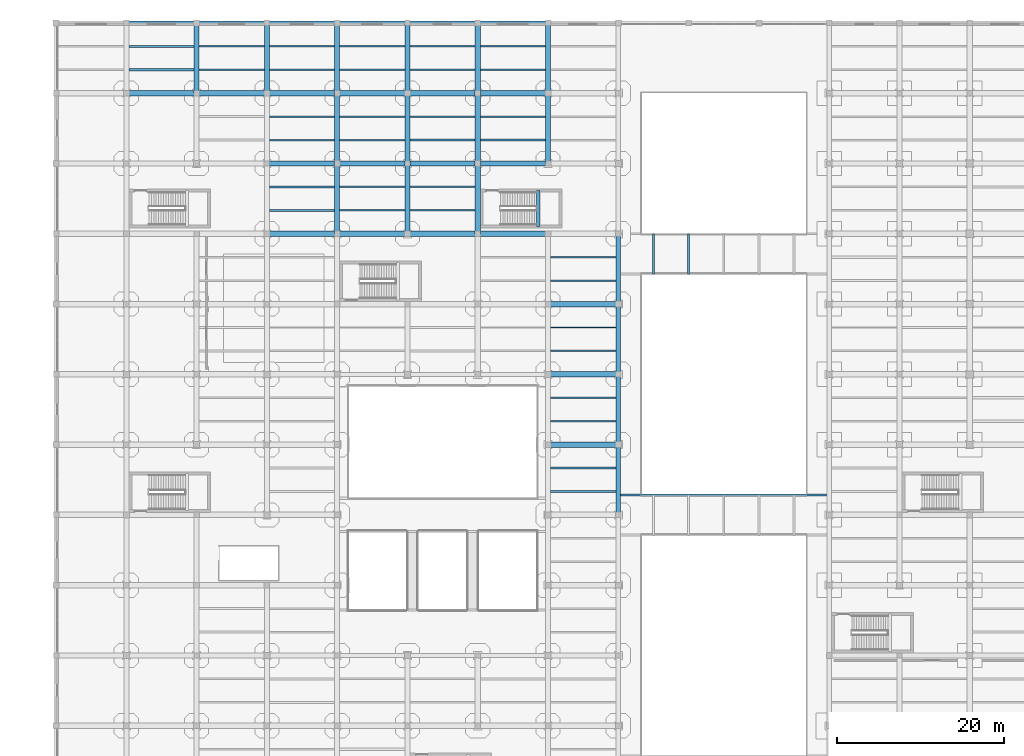
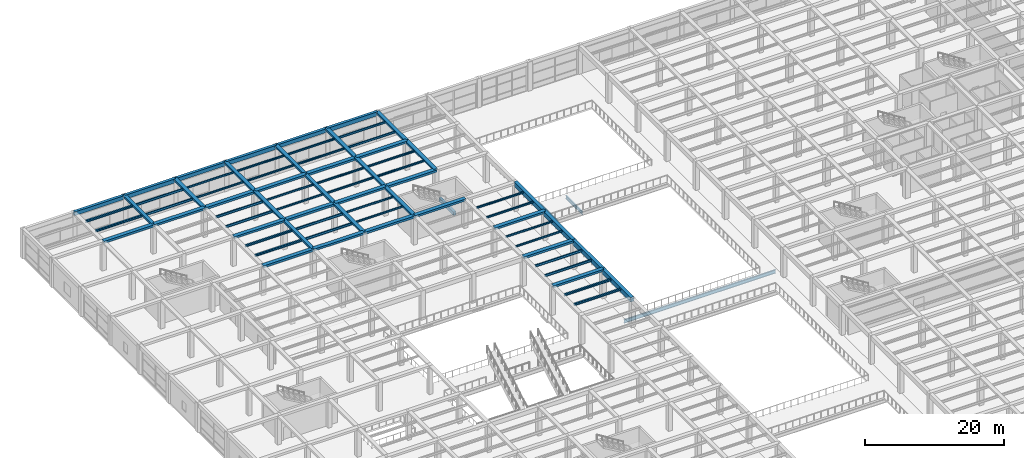
# One storey, part 24 of 65: 78 beams.
"""IFC4 building model written with IfcOpenShell, lengths in metres."""

from ifc_helpers import new_model, si_unit, direction, frame, origin, origin_2d, place, context, subcontext, project, spatial, rectangle, i_section, extrude, material, material_profile, profile_set, type_object, element, save


model = new_model("IFC4")

# Units and contexts
model_context = context("Model", 3, precision=1e-05, world=origin(), true_north=direction((0.0, 1.0)))
body_context = subcontext(model_context, "Body", "Model", "MODEL_VIEW")
ifc_project = project(units=[si_unit("LENGTHUNIT", "METRE"), si_unit("AREAUNIT", "SQUARE_METRE"), si_unit("VOLUMEUNIT", "CUBIC_METRE"), si_unit("PLANEANGLEUNIT", "RADIAN"), si_unit("MASSUNIT", "GRAM", prefix="KILO")], contexts=[model_context])

# Site, building, storey
site_placement = place(None, origin())
site = spatial("IfcSite", under=ifc_project, at=site_placement, CompositionType="ELEMENT")
building_placement = place(site_placement, origin())
building = spatial("IfcBuilding", under=site, at=building_placement, Name="Almacenes y Pasaje Nevantli", CompositionType="ELEMENT")
storey_placement = place(building_placement, frame((0.0, 0.0, 16.800048828125)))
storey = spatial("IfcBuildingStorey", under=building, at=storey_placement, Name="L04", CompositionType="ELEMENT", Elevation=16.800048828125)

# Beams
ifc_material_1 = material(Name="Concrete C35/45", Category="concrete")
ifc_material_profile_1 = material_profile(ifc_material_1, rectangle(XDim=0.39990234375, YDim=0.60009765625, at=origin_2d()), Name="RC-BM-400x600")
ifc_profile_set_1 = profile_set([ifc_material_profile_1], Name="Concrete C35/45")
beam_type_1 = type_object("IfcBeamType", Name="BM-RC-400x600", PredefinedType="SPANDREL", material=ifc_profile_set_1)
beam_1_placement = place(storey_placement, frame((57.64990234375, 93.300048828125, 2.199951171875), z_axis=(0.0, 1.0, 0.0), x_axis=(-1.0, 0.0, 0.0)))
element("IfcBeam", 1, at=beam_1_placement, inside=storey, type_object=beam_type_1, Name="L04 Stair ST-05 Half-Landing Support Beam", PredefinedType="SPANDREL", context=body_context, shape_type="SweptSolid", body=[
    extrude(rectangle(XDim=0.39990234375, YDim=0.60009765625, at=origin_2d()), origin(), (0.0, 0.0, 1.0), 4.25),
])
ifc_material_2 = material(Name="Concrete C35/45", Category="concrete")
ifc_material_profile_2 = material_profile(ifc_material_2, rectangle(XDim=0.449951171875, YDim=0.64990234375, at=origin_2d()), Name="RC-BM-450x650")
ifc_profile_set_2 = profile_set([ifc_material_profile_2], Name="Concrete C35/45")
beam_type_2 = type_object("IfcBeamType", Name="BM-RC-450x650", PredefinedType="SPANDREL", material=ifc_profile_set_2)
for number, where, z_axis, x_axis, name in (
    (2, (8.39990234375, 117.60009765625, 4.77490234375), (1.0, 0.0, 0.0), (0.0, 1.0, 0.0), "L04 East-West Reinforced Concrete Beam #2974"),
    (3, (25.199951171875, 117.60009765625, 4.77490234375), (1.0, 0.0, 0.0), (0.0, 1.0, 0.0), "L04 East-West Reinforced Concrete Beam #2976"),
):
    element("IfcBeam", number, at=place(storey_placement, frame(where, z_axis=z_axis, x_axis=x_axis)), inside=storey, type_object=beam_type_2, Name=name, PredefinedType="SPANDREL", context=body_context, shape_type="SweptSolid", body=[
        extrude(rectangle(XDim=0.449951171875, YDim=0.64990234375, at=origin_2d()), origin(), (0.0, 0.0, 1.0), 8.400146484375),
    ])
beam_2_placement = place(storey_placement, frame((42.0, 117.60009765625, 4.77490234375), z_axis=(1.0, 0.0, 0.0), x_axis=(0.0, 1.0, 0.0)))
element("IfcBeam", 4, at=beam_2_placement, inside=storey, type_object=beam_type_2, Name="L04 East-West Reinforced Concrete Beam #2978", PredefinedType="SPANDREL", context=body_context, shape_type="SweptSolid", body=[
    extrude(rectangle(XDim=0.449951171875, YDim=0.64990234375, at=origin_2d()), origin(), (0.0, 0.0, 1.0), 8.39990234375),
])
ifc_material_3 = material(Name="Concrete C35/45", Category="concrete")
ifc_material_profile_3 = material_profile(ifc_material_3, rectangle(XDim=0.449951171875, YDim=0.699951171875, at=origin_2d()), Name="RC-BM-450x700")
ifc_profile_set_3 = profile_set([ifc_material_profile_3], Name="Concrete C35/45")
beam_type_3 = type_object("IfcBeamType", Name="BM-RC-450x700", PredefinedType="SPANDREL", material=ifc_profile_set_3)
for number, where, z_axis, x_axis, name in (
    (5, (16.800048828125, 117.60009765625, 4.75), (1.0, 0.0, 0.0), (0.0, 1.0, 0.0), "L04 East-West Reinforced Concrete Beam #2975"),
    (6, (33.60009765625, 117.60009765625, 4.75), (1.0, 0.0, 0.0), (0.0, 1.0, 0.0), "L04 East-West Reinforced Concrete Beam #2977"),
):
    element("IfcBeam", number, at=place(storey_placement, frame(where, z_axis=z_axis, x_axis=x_axis)), inside=storey, type_object=beam_type_3, Name=name, PredefinedType="SPANDREL", context=body_context, shape_type="SweptSolid", body=[
        extrude(rectangle(XDim=0.449951171875, YDim=0.699951171875, at=origin_2d()), origin(), (0.0, 0.0, 1.0), 8.39990234375),
    ])
beam_3_placement = place(storey_placement, frame((50.39990234375, 117.60009765625, 4.75), z_axis=(1.0, 0.0, 0.0), x_axis=(0.0, 1.0, 0.0)))
element("IfcBeam", 7, at=beam_3_placement, inside=storey, type_object=beam_type_3, Name="L04 East-West Reinforced Concrete Beam #2979", PredefinedType="SPANDREL", context=body_context, shape_type="SweptSolid", body=[
    extrude(rectangle(XDim=0.449951171875, YDim=0.699951171875, at=origin_2d()), origin(), (0.0, 0.0, 1.0), 8.400146484375),
])
ifc_material_4 = material(Name="Concrete C35/45", Category="concrete")
ifc_material_profile_4 = material_profile(ifc_material_4, rectangle(XDim=0.550048828125, YDim=0.800048828125, at=origin_2d()), Name="RC-BM-550x800")
ifc_profile_set_4 = profile_set([ifc_material_profile_4], Name="Concrete C35/45")
beam_type_4 = type_object("IfcBeamType", Name="BM-RC-550x800", PredefinedType="BEAM", material=ifc_profile_set_4)
beam_4_placement = place(storey_placement, frame((67.199951171875, 58.800048828125, 4.699951171875), z_axis=(0.0, 1.0, 0.0), x_axis=(-1.0, 0.0, 0.0)))
element("IfcBeam", 8, at=beam_4_placement, inside=storey, type_object=beam_type_4, Name="L04 North-South Reinforced Concrete Beam #3088", PredefinedType="BEAM", context=body_context, shape_type="SweptSolid", body=[
    extrude(rectangle(XDim=0.550048828125, YDim=0.800048828125, at=origin_2d()), origin(), (0.0, 0.0, 1.0), 8.39990234375),
])
beam_5_placement = place(storey_placement, frame((67.199951171875, 67.199951171875, 4.699951171875), z_axis=(0.0, 1.0, 0.0), x_axis=(-1.0, 0.0, 0.0)))
element("IfcBeam", 9, at=beam_5_placement, inside=storey, type_object=beam_type_4, Name="L04 North-South Reinforced Concrete Beam #3089", PredefinedType="BEAM", context=body_context, shape_type="SweptSolid", body=[
    extrude(rectangle(XDim=0.550048828125, YDim=0.800048828125, at=origin_2d()), origin(), (0.0, 0.0, 1.0), 8.400146484375),
])
for number, where, z_axis, x_axis, name in (
    (10, (67.199951171875, 75.60009765625, 4.699951171875), (0.0, 1.0, 0.0), (-1.0, 0.0, 0.0), "L04 North-South Reinforced Concrete Beam #3090"),
    (11, (67.199951171875, 84.0, 4.699951171875), (0.0, 1.0, 0.0), (-1.0, 0.0, 0.0), "L04 North-South Reinforced Concrete Beam #3091"),
):
    element("IfcBeam", number, at=place(storey_placement, frame(where, z_axis=z_axis, x_axis=x_axis)), inside=storey, type_object=beam_type_4, Name=name, PredefinedType="BEAM", context=body_context, shape_type="SweptSolid", body=[
        extrude(rectangle(XDim=0.550048828125, YDim=0.800048828125, at=origin_2d()), origin(), (0.0, 0.0, 1.0), 8.39990234375),
    ])
ifc_material_5 = material(Name="Concrete C35/45", Category="concrete")
ifc_material_profile_5 = material_profile(ifc_material_5, rectangle(XDim=0.60009765625, YDim=0.320068359375, at=origin_2d()), Name="RC-BM-600x320")
ifc_profile_set_5 = profile_set([ifc_material_profile_5], Name="Concrete C35/45")
beam_type_5 = type_object("IfcBeamType", Name="BM-RC-600x320", PredefinedType="BEAM", material=ifc_profile_set_5)
for number, where, z_axis, x_axis, name in (
    (12, (16.800048828125, 109.199951171875, 4.93994140625), (0.0, 1.0, 0.0), (-1.0, 0.0, 0.0), "L04 North-South Reinforced Concrete Beam #3023"),
    (13, (33.60009765625, 92.39990234375, 4.93994140625), (0.0, 1.0, 0.0), (-1.0, 0.0, 0.0), "L04 North-South Reinforced Concrete Beam #3047"),
    (14, (33.60009765625, 109.199951171875, 4.93994140625), (0.0, 1.0, 0.0), (-1.0, 0.0, 0.0), "L04 North-South Reinforced Concrete Beam #3049"),
):
    element("IfcBeam", number, at=place(storey_placement, frame(where, z_axis=z_axis, x_axis=x_axis)), inside=storey, type_object=beam_type_5, Name=name, PredefinedType="BEAM", context=body_context, shape_type="SweptSolid", body=[
        extrude(rectangle(XDim=0.60009765625, YDim=0.320068359375, at=origin_2d()), origin(), (0.0, 0.0, 1.0), 8.400146484375),
    ])
beam_6_placement = place(storey_placement, frame((42.0, 100.800048828125, 4.93994140625), z_axis=(0.0, 1.0, 0.0), x_axis=(-1.0, 0.0, 0.0)))
element("IfcBeam", 15, at=beam_6_placement, inside=storey, type_object=beam_type_5, Name="L04 North-South Reinforced Concrete Beam #3057", PredefinedType="BEAM", context=body_context, shape_type="SweptSolid", body=[
    extrude(rectangle(XDim=0.60009765625, YDim=0.320068359375, at=origin_2d()), origin(), (0.0, 0.0, 1.0), 8.39990234375),
])
for number, where, z_axis, x_axis, name in (
    (16, (50.39990234375, 92.39990234375, 4.93994140625), (0.0, 1.0, 0.0), (-1.0, 0.0, 0.0), "L04 North-South Reinforced Concrete Beam #3065"),
    (17, (50.39990234375, 109.199951171875, 4.93994140625), (0.0, 1.0, 0.0), (-1.0, 0.0, 0.0), "L04 North-South Reinforced Concrete Beam #3067"),
):
    element("IfcBeam", number, at=place(storey_placement, frame(where, z_axis=z_axis, x_axis=x_axis)), inside=storey, type_object=beam_type_5, Name=name, PredefinedType="BEAM", context=body_context, shape_type="SweptSolid", body=[
        extrude(rectangle(XDim=0.60009765625, YDim=0.320068359375, at=origin_2d()), origin(), (0.0, 0.0, 1.0), 8.400146484375),
    ])
beam_7_placement = place(storey_placement, frame((58.800048828125, 100.800048828125, 4.93994140625), z_axis=(0.0, 1.0, 0.0), x_axis=(-1.0, 0.0, 0.0)))
element("IfcBeam", 18, at=beam_7_placement, inside=storey, type_object=beam_type_5, Name="L04 North-South Reinforced Concrete Beam #3079", PredefinedType="BEAM", context=body_context, shape_type="SweptSolid", body=[
    extrude(rectangle(XDim=0.60009765625, YDim=0.320068359375, at=origin_2d()), origin(), (0.0, 0.0, 1.0), 8.39990234375),
])
ifc_material_6 = material(Name="Concrete C35/45", Category="concrete")
ifc_material_profile_6 = material_profile(ifc_material_6, rectangle(XDim=0.60009765625, YDim=0.340087890625, at=origin_2d()), Name="RC-BM-600x340")
ifc_profile_set_6 = profile_set([ifc_material_profile_6], Name="Concrete C35/45")
beam_type_6 = type_object("IfcBeamType", Name="BM-RC-600x340", PredefinedType="BEAM", material=ifc_profile_set_6)
beam_8_placement = place(storey_placement, frame((25.199951171875, 109.199951171875, 4.929931640625), z_axis=(0.0, 1.0, 0.0), x_axis=(-1.0, 0.0, 0.0)))
element("IfcBeam", 19, at=beam_8_placement, inside=storey, type_object=beam_type_6, Name="L04 North-South Reinforced Concrete Beam #3036", PredefinedType="BEAM", context=body_context, shape_type="SweptSolid", body=[
    extrude(rectangle(XDim=0.60009765625, YDim=0.340087890625, at=origin_2d()), origin(), (0.0, 0.0, 1.0), 8.400146484375),
])
beam_9_placement = place(storey_placement, frame((33.60009765625, 100.800048828125, 4.929931640625), z_axis=(0.0, 1.0, 0.0), x_axis=(-1.0, 0.0, 0.0)))
element("IfcBeam", 20, at=beam_9_placement, inside=storey, type_object=beam_type_6, Name="L04 North-South Reinforced Concrete Beam #3048", PredefinedType="BEAM", context=body_context, shape_type="SweptSolid", body=[
    extrude(rectangle(XDim=0.60009765625, YDim=0.340087890625, at=origin_2d()), origin(), (0.0, 0.0, 1.0), 8.39990234375),
])
for number, where, z_axis, x_axis, name in (
    (21, (42.0, 92.39990234375, 4.929931640625), (0.0, 1.0, 0.0), (-1.0, 0.0, 0.0), "L04 North-South Reinforced Concrete Beam #3056"),
    (22, (42.0, 109.199951171875, 4.929931640625), (0.0, 1.0, 0.0), (-1.0, 0.0, 0.0), "L04 North-South Reinforced Concrete Beam #3058"),
):
    element("IfcBeam", number, at=place(storey_placement, frame(where, z_axis=z_axis, x_axis=x_axis)), inside=storey, type_object=beam_type_6, Name=name, PredefinedType="BEAM", context=body_context, shape_type="SweptSolid", body=[
        extrude(rectangle(XDim=0.60009765625, YDim=0.340087890625, at=origin_2d()), origin(), (0.0, 0.0, 1.0), 8.400146484375),
    ])
beam_10_placement = place(storey_placement, frame((50.39990234375, 100.800048828125, 4.929931640625), z_axis=(0.0, 1.0, 0.0), x_axis=(-1.0, 0.0, 0.0)))
element("IfcBeam", 23, at=beam_10_placement, inside=storey, type_object=beam_type_6, Name="L04 North-South Reinforced Concrete Beam #3066", PredefinedType="BEAM", context=body_context, shape_type="SweptSolid", body=[
    extrude(rectangle(XDim=0.60009765625, YDim=0.340087890625, at=origin_2d()), origin(), (0.0, 0.0, 1.0), 8.39990234375),
])
beam_11_placement = place(storey_placement, frame((58.800048828125, 109.199951171875, 4.929931640625), z_axis=(0.0, 1.0, 0.0), x_axis=(-1.0, 0.0, 0.0)))
element("IfcBeam", 24, at=beam_11_placement, inside=storey, type_object=beam_type_6, Name="L04 North-South Reinforced Concrete Beam #3080", PredefinedType="BEAM", context=body_context, shape_type="SweptSolid", body=[
    extrude(rectangle(XDim=0.60009765625, YDim=0.340087890625, at=origin_2d()), origin(), (0.0, 0.0, 1.0), 8.400146484375),
])
ifc_material_7 = material(Name="Concrete C35/45", Category="concrete")
ifc_material_profile_7 = material_profile(ifc_material_7, rectangle(XDim=0.64990234375, YDim=0.35009765625, at=origin_2d()), Name="RC-BM-650x350")
ifc_profile_set_7 = profile_set([ifc_material_profile_7], Name="Concrete C35/45")
beam_type_7 = type_object("IfcBeamType", Name="BM-RC-650x350", PredefinedType="BEAM", material=ifc_profile_set_7)
for number, where, z_axis, x_axis, name in (
    (25, (58.800048828125, 67.199951171875, 4.925048828125), (1.0, 0.0, 0.0), (0.0, 1.0, 0.0), "L04 East-West Reinforced Concrete Beam #2878"),
    (26, (58.800048828125, 84.0, 4.925048828125), (1.0, 0.0, 0.0), (0.0, 1.0, 0.0), "L04 East-West Reinforced Concrete Beam #2912"),
    (27, (33.60009765625, 92.39990234375, 4.925048828125), (1.0, 0.0, 0.0), (0.0, 1.0, 0.0), "L04 East-West Reinforced Concrete Beam #2926"),
):
    element("IfcBeam", number, at=place(storey_placement, frame(where, z_axis=z_axis, x_axis=x_axis)), inside=storey, type_object=beam_type_7, Name=name, PredefinedType="BEAM", context=body_context, shape_type="SweptSolid", body=[
        extrude(rectangle(XDim=0.64990234375, YDim=0.35009765625, at=origin_2d()), origin(), (0.0, 0.0, 1.0), 8.39990234375),
    ])
for number, where, z_axis, x_axis, name in (
    (28, (50.39990234375, 92.39990234375, 4.925048828125), (1.0, 0.0, 0.0), (0.0, 1.0, 0.0), "L04 East-West Reinforced Concrete Beam #2928"),
    (29, (25.199951171875, 100.800048828125, 4.925048828125), (1.0, 0.0, 0.0), (0.0, 1.0, 0.0), "L04 East-West Reinforced Concrete Beam #2942"),
):
    element("IfcBeam", number, at=place(storey_placement, frame(where, z_axis=z_axis, x_axis=x_axis)), inside=storey, type_object=beam_type_7, Name=name, PredefinedType="BEAM", context=body_context, shape_type="SweptSolid", body=[
        extrude(rectangle(XDim=0.64990234375, YDim=0.35009765625, at=origin_2d()), origin(), (0.0, 0.0, 1.0), 8.400146484375),
    ])
for number, where, z_axis, x_axis, name in (
    (30, (42.0, 100.800048828125, 4.925048828125), (1.0, 0.0, 0.0), (0.0, 1.0, 0.0), "L04 East-West Reinforced Concrete Beam #2944"),
    (31, (16.800048828125, 109.199951171875, 4.925048828125), (1.0, 0.0, 0.0), (0.0, 1.0, 0.0), "L04 East-West Reinforced Concrete Beam #2958"),
    (32, (33.60009765625, 109.199951171875, 4.925048828125), (1.0, 0.0, 0.0), (0.0, 1.0, 0.0), "L04 East-West Reinforced Concrete Beam #2960"),
):
    element("IfcBeam", number, at=place(storey_placement, frame(where, z_axis=z_axis, x_axis=x_axis)), inside=storey, type_object=beam_type_7, Name=name, PredefinedType="BEAM", context=body_context, shape_type="SweptSolid", body=[
        extrude(rectangle(XDim=0.64990234375, YDim=0.35009765625, at=origin_2d()), origin(), (0.0, 0.0, 1.0), 8.39990234375),
    ])
beam_12_placement = place(storey_placement, frame((50.39990234375, 109.199951171875, 4.925048828125), z_axis=(1.0, 0.0, 0.0), x_axis=(0.0, 1.0, 0.0)))
element("IfcBeam", 33, at=beam_12_placement, inside=storey, type_object=beam_type_7, Name="L04 East-West Reinforced Concrete Beam #2962", PredefinedType="BEAM", context=body_context, shape_type="SweptSolid", body=[
    extrude(rectangle(XDim=0.64990234375, YDim=0.35009765625, at=origin_2d()), origin(), (0.0, 0.0, 1.0), 8.400146484375),
])
ifc_material_8 = material(Name="Concrete C35/45", Category="concrete")
ifc_material_profile_8 = material_profile(ifc_material_8, rectangle(XDim=0.64990234375, YDim=0.3798828125, at=origin_2d()), Name="RC-BM-650x380")
ifc_profile_set_8 = profile_set([ifc_material_profile_8], Name="Concrete C35/45")
beam_type_8 = type_object("IfcBeamType", Name="BM-RC-650x380", PredefinedType="BEAM", material=ifc_profile_set_8)
beam_13_placement = place(storey_placement, frame((58.800048828125, 75.60009765625, 4.909912109375), z_axis=(1.0, 0.0, 0.0), x_axis=(0.0, 1.0, 0.0)))
element("IfcBeam", 34, at=beam_13_placement, inside=storey, type_object=beam_type_8, Name="L04 East-West Reinforced Concrete Beam #2895", PredefinedType="BEAM", context=body_context, shape_type="SweptSolid", body=[
    extrude(rectangle(XDim=0.64990234375, YDim=0.3798828125, at=origin_2d()), origin(), (0.0, 0.0, 1.0), 8.39990234375),
])
beam_14_placement = place(storey_placement, frame((25.199951171875, 92.39990234375, 4.909912109375), z_axis=(1.0, 0.0, 0.0), x_axis=(0.0, 1.0, 0.0)))
element("IfcBeam", 35, at=beam_14_placement, inside=storey, type_object=beam_type_8, Name="L04 East-West Reinforced Concrete Beam #2925", PredefinedType="BEAM", context=body_context, shape_type="SweptSolid", body=[
    extrude(rectangle(XDim=0.64990234375, YDim=0.3798828125, at=origin_2d()), origin(), (0.0, 0.0, 1.0), 8.400146484375),
])
for number, where, z_axis, x_axis, name in (
    (36, (42.0, 92.39990234375, 4.909912109375), (1.0, 0.0, 0.0), (0.0, 1.0, 0.0), "L04 East-West Reinforced Concrete Beam #2927"),
    (37, (33.60009765625, 100.800048828125, 4.909912109375), (1.0, 0.0, 0.0), (0.0, 1.0, 0.0), "L04 East-West Reinforced Concrete Beam #2943"),
):
    element("IfcBeam", number, at=place(storey_placement, frame(where, z_axis=z_axis, x_axis=x_axis)), inside=storey, type_object=beam_type_8, Name=name, PredefinedType="BEAM", context=body_context, shape_type="SweptSolid", body=[
        extrude(rectangle(XDim=0.64990234375, YDim=0.3798828125, at=origin_2d()), origin(), (0.0, 0.0, 1.0), 8.39990234375),
    ])
for number, where, z_axis, x_axis, name in (
    (38, (50.39990234375, 100.800048828125, 4.909912109375), (1.0, 0.0, 0.0), (0.0, 1.0, 0.0), "L04 East-West Reinforced Concrete Beam #2945"),
    (39, (8.39990234375, 109.199951171875, 4.909912109375), (1.0, 0.0, 0.0), (0.0, 1.0, 0.0), "L04 East-West Reinforced Concrete Beam #2957"),
    (40, (25.199951171875, 109.199951171875, 4.909912109375), (1.0, 0.0, 0.0), (0.0, 1.0, 0.0), "L04 East-West Reinforced Concrete Beam #2959"),
):
    element("IfcBeam", number, at=place(storey_placement, frame(where, z_axis=z_axis, x_axis=x_axis)), inside=storey, type_object=beam_type_8, Name=name, PredefinedType="BEAM", context=body_context, shape_type="SweptSolid", body=[
        extrude(rectangle(XDim=0.64990234375, YDim=0.3798828125, at=origin_2d()), origin(), (0.0, 0.0, 1.0), 8.400146484375),
    ])
beam_15_placement = place(storey_placement, frame((42.0, 109.199951171875, 4.909912109375), z_axis=(1.0, 0.0, 0.0), x_axis=(0.0, 1.0, 0.0)))
element("IfcBeam", 41, at=beam_15_placement, inside=storey, type_object=beam_type_8, Name="L04 East-West Reinforced Concrete Beam #2961", PredefinedType="BEAM", context=body_context, shape_type="SweptSolid", body=[
    extrude(rectangle(XDim=0.64990234375, YDim=0.3798828125, at=origin_2d()), origin(), (0.0, 0.0, 1.0), 8.39990234375),
])
ifc_material_9 = material(Name="Steel ASTM A992", Category="steel")
ifc_material_profile_9 = material_profile(ifc_material_9, i_section(OverallWidth=0.1650390625, OverallDepth=0.306884765625, WebThickness=0.006591796875, FlangeThickness=0.01025390625, at=origin_2d()), Name="IR 305x44.6")
ifc_profile_set_9 = profile_set([ifc_material_profile_9], Name="Steel ASTM A992")
beam_type_9 = type_object("IfcBeamType", Name="BM-STL-IR-305x44p6", PredefinedType="JOIST", material=ifc_profile_set_9)
for number, where, z_axis, x_axis, name in (
    (42, (25.5, 112.0, 4.9384765625), (1.0, 0.0, 0.0), (0.0, 1.0, 0.0), "L04 Secondary Steel Floor Joist #1057"),
    (43, (25.5, 114.800048828125, 4.9384765625), (1.0, 0.0, 0.0), (0.0, 1.0, 0.0), "L04 Secondary Steel Floor Joist #1058"),
    (44, (33.89990234375, 103.60009765625, 4.9384765625), (1.0, 0.0, 0.0), (0.0, 1.0, 0.0), "L04 Secondary Steel Floor Joist #1071"),
    (45, (33.89990234375, 106.39990234375, 4.9384765625), (1.0, 0.0, 0.0), (0.0, 1.0, 0.0), "L04 Secondary Steel Floor Joist #1072"),
    (46, (42.300048828125, 95.199951171875, 4.9384765625), (1.0, 0.0, 0.0), (0.0, 1.0, 0.0), "L04 Secondary Steel Floor Joist #1085"),
    (47, (42.300048828125, 98.0, 4.9384765625), (1.0, 0.0, 0.0), (0.0, 1.0, 0.0), "L04 Secondary Steel Floor Joist #1086"),
):
    element("IfcBeam", number, at=place(storey_placement, frame(where, z_axis=z_axis, x_axis=x_axis)), inside=storey, type_object=beam_type_9, Name=name, PredefinedType="JOIST", context=body_context, shape_type="SweptSolid", body=[
        extrude(i_section(OverallWidth=0.1650390625, OverallDepth=0.306884765625, WebThickness=0.006591796875, FlangeThickness=0.01025390625, at=origin_2d()), origin(), (0.0, 0.0, 1.0), 7.800048828125),
    ])
for number, where, z_axis, x_axis, name in (
    (48, (59.10009765625, 78.39990234375, 4.9384765625), (1.0, 0.0, 0.0), (0.0, 1.0, 0.0), "L04 Secondary Steel Floor Joist #1125"),
    (49, (59.10009765625, 81.199951171875, 4.9384765625), (1.0, 0.0, 0.0), (0.0, 1.0, 0.0), "L04 Secondary Steel Floor Joist #1126"),
):
    element("IfcBeam", number, at=place(storey_placement, frame(where, z_axis=z_axis, x_axis=x_axis)), inside=storey, type_object=beam_type_9, Name=name, PredefinedType="JOIST", context=body_context, shape_type="SweptSolid", body=[
        extrude(i_section(OverallWidth=0.1650390625, OverallDepth=0.306884765625, WebThickness=0.006591796875, FlangeThickness=0.01025390625, at=origin_2d()), origin(), (0.0, 0.0, 1.0), 7.824951171875),
    ])
ifc_material_10 = material(Name="Steel ASTM A992", Category="steel")
ifc_material_profile_10 = material_profile(ifc_material_10, i_section(OverallWidth=0.202880859375, OverallDepth=0.304931640625, WebThickness=0.007568359375, FlangeThickness=0.01318359375, at=origin_2d()), Name="IR 305x59.5")
ifc_profile_set_10 = profile_set([ifc_material_profile_10], Name="Steel ASTM A992")
beam_type_10 = type_object("IfcBeamType", Name="BM-STL-IR-305x59p5", PredefinedType="JOIST", material=ifc_profile_set_10)
for number, where, z_axis, x_axis, name in (
    (50, (33.89990234375, 112.0, 4.939453125), (1.0, 0.0, 0.0), (0.0, 1.0, 0.0), "L04 Secondary Steel Floor Joist #1073"),
    (51, (33.89990234375, 114.800048828125, 4.939453125), (1.0, 0.0, 0.0), (0.0, 1.0, 0.0), "L04 Secondary Steel Floor Joist #1074"),
    (52, (42.300048828125, 103.60009765625, 4.939453125), (1.0, 0.0, 0.0), (0.0, 1.0, 0.0), "L04 Secondary Steel Floor Joist #1087"),
    (53, (42.300048828125, 106.39990234375, 4.939453125), (1.0, 0.0, 0.0), (0.0, 1.0, 0.0), "L04 Secondary Steel Floor Joist #1088"),
):
    element("IfcBeam", number, at=place(storey_placement, frame(where, z_axis=z_axis, x_axis=x_axis)), inside=storey, type_object=beam_type_10, Name=name, PredefinedType="JOIST", context=body_context, shape_type="SweptSolid", body=[
        extrude(i_section(OverallWidth=0.202880859375, OverallDepth=0.304931640625, WebThickness=0.007568359375, FlangeThickness=0.01318359375, at=origin_2d()), origin(), (0.0, 0.0, 1.0), 7.800048828125),
    ])
for number, where, z_axis, x_axis, name in (
    (54, (59.10009765625, 86.800048828125, 4.939453125), (1.0, 0.0, 0.0), (0.0, 1.0, 0.0), "L04 Secondary Steel Floor Joist #1127"),
    (55, (59.10009765625, 89.60009765625, 4.939453125), (1.0, 0.0, 0.0), (0.0, 1.0, 0.0), "L04 Secondary Steel Floor Joist #1128"),
):
    element("IfcBeam", number, at=place(storey_placement, frame(where, z_axis=z_axis, x_axis=x_axis)), inside=storey, type_object=beam_type_10, Name=name, PredefinedType="JOIST", context=body_context, shape_type="SweptSolid", body=[
        extrude(i_section(OverallWidth=0.202880859375, OverallDepth=0.304931640625, WebThickness=0.007568359375, FlangeThickness=0.01318359375, at=origin_2d()), origin(), (0.0, 0.0, 1.0), 7.824951171875),
    ])
ifc_material_11 = material(Name="Steel ASTM A992", Category="steel")
ifc_material_profile_11 = material_profile(ifc_material_11, i_section(OverallWidth=0.205078125, OverallDepth=0.31005859375, WebThickness=0.009521484375, FlangeThickness=0.016357421875, at=origin_2d()), Name="IR 305x74.4")
ifc_profile_set_11 = profile_set([ifc_material_profile_11], Name="Steel ASTM A992")
beam_type_11 = type_object("IfcBeamType", Name="BM-STL-IR-305x74p4", PredefinedType="JOIST", material=ifc_profile_set_11)
for number, where, z_axis, x_axis, name in (
    (56, (42.300048828125, 112.0, 4.93701171875), (1.0, 0.0, 0.0), (0.0, 1.0, 0.0), "L04 Secondary Steel Floor Joist #1089"),
    (57, (42.300048828125, 114.800048828125, 4.93701171875), (1.0, 0.0, 0.0), (0.0, 1.0, 0.0), "L04 Secondary Steel Floor Joist #1090"),
    (58, (50.699951171875, 103.60009765625, 4.93701171875), (1.0, 0.0, 0.0), (0.0, 1.0, 0.0), "L04 Secondary Steel Floor Joist #1103"),
    (59, (50.699951171875, 106.39990234375, 4.93701171875), (1.0, 0.0, 0.0), (0.0, 1.0, 0.0), "L04 Secondary Steel Floor Joist #1104"),
):
    element("IfcBeam", number, at=place(storey_placement, frame(where, z_axis=z_axis, x_axis=x_axis)), inside=storey, type_object=beam_type_11, Name=name, PredefinedType="JOIST", context=body_context, shape_type="SweptSolid", body=[
        extrude(i_section(OverallWidth=0.205078125, OverallDepth=0.31005859375, WebThickness=0.009521484375, FlangeThickness=0.016357421875, at=origin_2d()), origin(), (0.0, 0.0, 1.0), 7.800048828125),
    ])
ifc_material_12 = material(Name="Steel ASTM A992", Category="steel")
ifc_material_profile_12 = material_profile(ifc_material_12, i_section(OverallWidth=0.173095703125, OverallDepth=0.35302734375, WebThickness=0.0078125, FlangeThickness=0.01318359375, at=origin_2d()), Name="IR 356x56.6")
ifc_profile_set_12 = profile_set([ifc_material_profile_12], Name="Steel ASTM A992")
beam_type_12 = type_object("IfcBeamType", Name="BM-STL-IR-356x56p6", PredefinedType="JOIST", material=ifc_profile_set_12)
for number, where, z_axis, x_axis, name in (
    (60, (50.699951171875, 112.0, 4.91552734375), (1.0, 0.0, 0.0), (0.0, 1.0, 0.0), "L04 Secondary Steel Floor Joist #1105"),
    (61, (50.699951171875, 114.800048828125, 4.91552734375), (1.0, 0.0, 0.0), (0.0, 1.0, 0.0), "L04 Secondary Steel Floor Joist #1106"),
):
    element("IfcBeam", number, at=place(storey_placement, frame(where, z_axis=z_axis, x_axis=x_axis)), inside=storey, type_object=beam_type_12, Name=name, PredefinedType="JOIST", context=body_context, shape_type="SweptSolid", body=[
        extrude(i_section(OverallWidth=0.173095703125, OverallDepth=0.35302734375, WebThickness=0.0078125, FlangeThickness=0.01318359375, at=origin_2d()), origin(), (0.0, 0.0, 1.0), 7.800048828125),
    ])
ifc_material_13 = material(Name="Steel ASTM A992", Category="steel")
ifc_material_profile_13 = material_profile(ifc_material_13, i_section(OverallWidth=0.25390625, OverallDepth=0.35595703125, WebThickness=0.009521484375, FlangeThickness=0.016357421875, at=origin_2d()), Name="IR 356x79.0")
ifc_profile_set_13 = profile_set([ifc_material_profile_13], Name="Steel ASTM A992")
beam_type_13 = type_object("IfcBeamType", Name="BM-STL-IR-356x79p0", PredefinedType="JOIST", material=ifc_profile_set_13)
for number, where, z_axis, x_axis, name in (
    (62, (8.699951171875, 112.0, 4.9140625), (1.0, 0.0, 0.0), (0.0, 1.0, 0.0), "L04 Secondary Steel Floor Joist #1017"),
    (63, (8.699951171875, 114.800048828125, 4.9140625), (1.0, 0.0, 0.0), (0.0, 1.0, 0.0), "L04 Secondary Steel Floor Joist #1018"),
    (64, (25.5, 95.199951171875, 4.9140625), (1.0, 0.0, 0.0), (0.0, 1.0, 0.0), "L04 Secondary Steel Floor Joist #1053"),
    (65, (25.5, 98.0, 4.9140625), (1.0, 0.0, 0.0), (0.0, 1.0, 0.0), "L04 Secondary Steel Floor Joist #1054"),
):
    element("IfcBeam", number, at=place(storey_placement, frame(where, z_axis=z_axis, x_axis=x_axis)), inside=storey, type_object=beam_type_13, Name=name, PredefinedType="JOIST", context=body_context, shape_type="SweptSolid", body=[
        extrude(i_section(OverallWidth=0.25390625, OverallDepth=0.35595703125, WebThickness=0.009521484375, FlangeThickness=0.016357421875, at=origin_2d()), origin(), (0.0, 0.0, 1.0), 7.800048828125),
    ])
for number, where, z_axis, x_axis, name in (
    (66, (59.10009765625, 61.60009765625, 4.9140625), (1.0, 0.0, 0.0), (0.0, 1.0, 0.0), "L04 Secondary Steel Floor Joist #1121"),
    (67, (59.10009765625, 64.39990234375, 4.9140625), (1.0, 0.0, 0.0), (0.0, 1.0, 0.0), "L04 Secondary Steel Floor Joist #1122"),
):
    element("IfcBeam", number, at=place(storey_placement, frame(where, z_axis=z_axis, x_axis=x_axis)), inside=storey, type_object=beam_type_13, Name=name, PredefinedType="JOIST", context=body_context, shape_type="SweptSolid", body=[
        extrude(i_section(OverallWidth=0.25390625, OverallDepth=0.35595703125, WebThickness=0.009521484375, FlangeThickness=0.016357421875, at=origin_2d()), origin(), (0.0, 0.0, 1.0), 7.824951171875),
    ])
ifc_material_14 = material(Name="Steel ASTM A992", Category="steel")
ifc_material_profile_14 = material_profile(ifc_material_14, i_section(OverallWidth=0.178955078125, OverallDepth=0.406005859375, WebThickness=0.0087890625, FlangeThickness=0.014404296875, at=origin_2d()), Name="IR 406x67.0")
ifc_profile_set_14 = profile_set([ifc_material_profile_14], Name="Steel ASTM A992")
beam_type_14 = type_object("IfcBeamType", Name="BM-STL-IR-406x67p0", PredefinedType="JOIST", material=ifc_profile_set_14)
for number, where, z_axis, x_axis, name in (
    (68, (17.10009765625, 112.0, 4.888916015625), (1.0, 0.0, 0.0), (0.0, 1.0, 0.0), "L04 Secondary Steel Floor Joist #1033"),
    (69, (17.10009765625, 114.800048828125, 4.888916015625), (1.0, 0.0, 0.0), (0.0, 1.0, 0.0), "L04 Secondary Steel Floor Joist #1034"),
):
    element("IfcBeam", number, at=place(storey_placement, frame(where, z_axis=z_axis, x_axis=x_axis)), inside=storey, type_object=beam_type_14, Name=name, PredefinedType="JOIST", context=body_context, shape_type="SweptSolid", body=[
        extrude(i_section(OverallWidth=0.178955078125, OverallDepth=0.406005859375, WebThickness=0.0087890625, FlangeThickness=0.014404296875, at=origin_2d()), origin(), (0.0, 0.0, 1.0), 7.7998046875),
    ])
for number, where, z_axis, x_axis, name in (
    (70, (25.5, 103.60009765625, 4.888916015625), (1.0, 0.0, 0.0), (0.0, 1.0, 0.0), "L04 Secondary Steel Floor Joist #1055"),
    (71, (25.5, 106.39990234375, 4.888916015625), (1.0, 0.0, 0.0), (0.0, 1.0, 0.0), "L04 Secondary Steel Floor Joist #1056"),
    (72, (33.89990234375, 95.199951171875, 4.888916015625), (1.0, 0.0, 0.0), (0.0, 1.0, 0.0), "L04 Secondary Steel Floor Joist #1069"),
    (73, (33.89990234375, 98.0, 4.888916015625), (1.0, 0.0, 0.0), (0.0, 1.0, 0.0), "L04 Secondary Steel Floor Joist #1070"),
):
    element("IfcBeam", number, at=place(storey_placement, frame(where, z_axis=z_axis, x_axis=x_axis)), inside=storey, type_object=beam_type_14, Name=name, PredefinedType="JOIST", context=body_context, shape_type="SweptSolid", body=[
        extrude(i_section(OverallWidth=0.178955078125, OverallDepth=0.406005859375, WebThickness=0.0087890625, FlangeThickness=0.014404296875, at=origin_2d()), origin(), (0.0, 0.0, 1.0), 7.800048828125),
    ])
for number, where, z_axis, x_axis, name in (
    (74, (59.10009765625, 70.0, 4.888916015625), (1.0, 0.0, 0.0), (0.0, 1.0, 0.0), "L04 Secondary Steel Floor Joist #1123"),
    (75, (59.10009765625, 72.800048828125, 4.888916015625), (1.0, 0.0, 0.0), (0.0, 1.0, 0.0), "L04 Secondary Steel Floor Joist #1124"),
):
    element("IfcBeam", number, at=place(storey_placement, frame(where, z_axis=z_axis, x_axis=x_axis)), inside=storey, type_object=beam_type_14, Name=name, PredefinedType="JOIST", context=body_context, shape_type="SweptSolid", body=[
        extrude(i_section(OverallWidth=0.178955078125, OverallDepth=0.406005859375, WebThickness=0.0087890625, FlangeThickness=0.014404296875, at=origin_2d()), origin(), (0.0, 0.0, 1.0), 7.824951171875),
    ])
ifc_material_15 = material(Name="Steel ASTM A992", Category="steel")
ifc_material_profile_15 = material_profile(ifc_material_15, i_section(OverallWidth=0.2109375, OverallDepth=0.5390625, WebThickness=0.01171875, FlangeThickness=0.018798828125, at=origin_2d()), Name="IR 533x108.6")
ifc_profile_set_15 = profile_set([ifc_material_profile_15], Name="Steel ASTM A992")
beam_type_15 = type_object("IfcBeamType", Name="BM-STL-IR-533x108p6", PredefinedType="BEAM", material=ifc_profile_set_15)
for number, where, z_axis, x_axis, name in (
    (76, (71.39990234375, 87.60009765625, -0.57763671875), (0.0, 1.0, 0.0), (-1.0, 0.0, 0.0), "L04 Arcade Gallery Bridge Cross Beam #59"),
    (77, (75.60009765625, 87.60009765625, -0.57763671875), (0.0, 1.0, 0.0), (-1.0, 0.0, 0.0), "L04 Arcade Gallery Bridge Cross Beam #60"),
):
    element("IfcBeam", number, at=place(storey_placement, frame(where, z_axis=z_axis, x_axis=x_axis)), inside=storey, type_object=beam_type_15, Name=name, PredefinedType="BEAM", context=body_context, shape_type="SweptSolid", body=[
        extrude(i_section(OverallWidth=0.2109375, OverallDepth=0.5390625, WebThickness=0.01171875, FlangeThickness=0.018798828125, at=origin_2d()), origin(), (0.0, 0.0, 1.0), 4.7998046875),
    ])
ifc_material_16 = material(Name="Steel ASTM A992", Category="steel")
ifc_material_profile_16 = material_profile(ifc_material_16, i_section(OverallWidth=0.22998046875, OverallDepth=0.616943359375, WebThickness=0.01318359375, FlangeThickness=0.022216796875, at=origin_2d()), Name="IR 610x140.0")
ifc_profile_set_16 = profile_set([ifc_material_profile_16], Name="Steel ASTM A992")
beam_type_16 = type_object("IfcBeamType", Name="BM-STL-IR-610x140p0", PredefinedType="BEAM", material=ifc_profile_set_16)
beam_16_placement = place(storey_placement, frame((67.199951171875, 61.199951171875, -0.616455078125), z_axis=(1.0, 0.0, 0.0), x_axis=(0.0, 1.0, 0.0)))
element("IfcBeam", 78, at=beam_16_placement, inside=storey, type_object=beam_type_16, Name="L04 Arcade Gallery Bridge Steel Girder BRG-ARC-2.2", PredefinedType="BEAM", context=body_context, shape_type="SweptSolid", body=[
    extrude(i_section(OverallWidth=0.22998046875, OverallDepth=0.616943359375, WebThickness=0.01318359375, FlangeThickness=0.022216796875, at=origin_2d()), origin(), (0.0, 0.0, 1.0), 25.199951171875),
])

save(model, "model.ifc")
